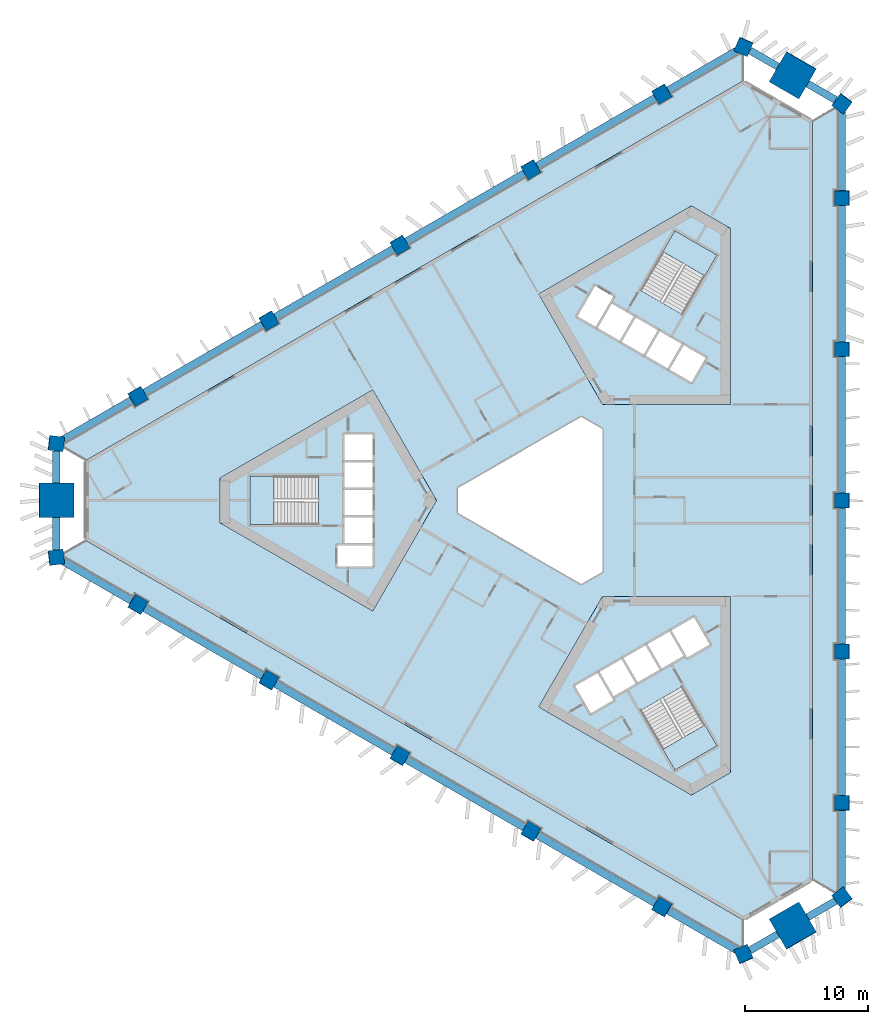
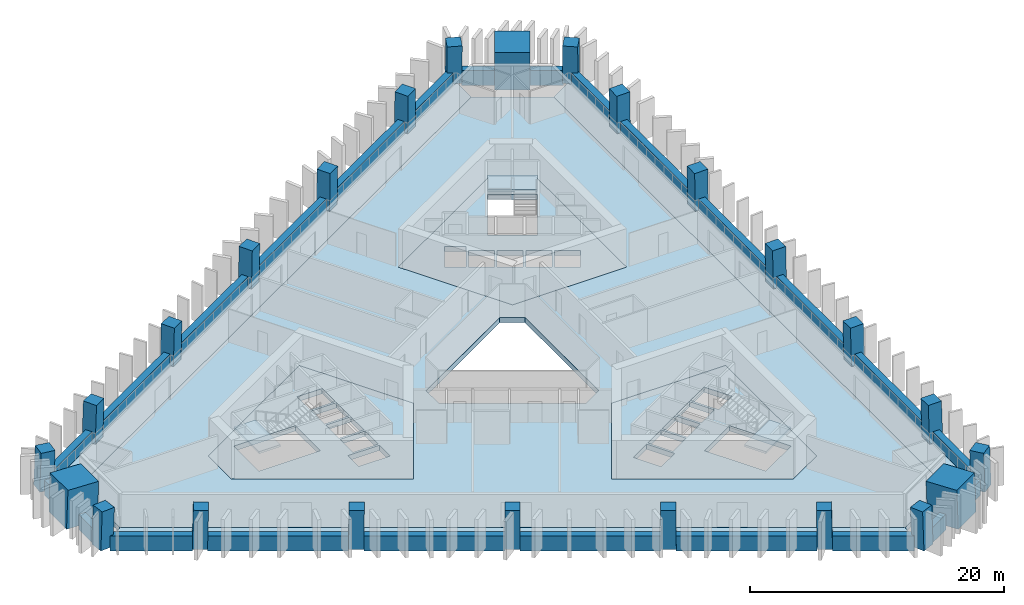
# One storey, part 1 of 10: 24 beams, 24 columns, 10 slabs, 3 elements without a shape of their own.
"""IFC4 building model written with IfcOpenShell, lengths in metres."""

from ifc_helpers import new_model, si_unit, direction, frame, origin, origin_2d, place, context, subcontext, project, spatial, polyline, rectangle, outline, extrude, material, layer, layer_set, material_profile, profile_set, type_object, element, aggregate, save


model = new_model("IFC4")

# Units and contexts
model_context = context("Model", 3, precision=1e-05, world=origin(), true_north=direction((0.0, 1.0)))
body_context = subcontext(model_context, "Body", "Model", "MODEL_VIEW")
ifc_project = project(units=[si_unit("LENGTHUNIT", "METRE"), si_unit("AREAUNIT", "SQUARE_METRE"), si_unit("VOLUMEUNIT", "CUBIC_METRE"), si_unit("PLANEANGLEUNIT", "RADIAN"), si_unit("MASSUNIT", "GRAM", prefix="KILO")], contexts=[model_context])

# Site, building, storey
site_placement = place(None, origin())
site = spatial("IfcSite", under=ifc_project, at=site_placement, CompositionType="ELEMENT")
building_placement = place(site_placement, origin())
building = spatial("IfcBuilding", under=site, at=building_placement, Name="Jabali Bay Hotel Tower and Convention Centre", CompositionType="ELEMENT")
storey_placement = place(building_placement, frame((0.0, 0.0, 33.699951171875)))
storey = spatial("IfcBuildingStorey", under=building, at=storey_placement, Name="L06", CompositionType="ELEMENT", Elevation=33.699951171875)

# Columns
ifc_material_1 = material(Name="Concrete C60", Category="concrete")
ifc_material_profile_1 = material_profile(ifc_material_1, rectangle(XDim=1.199951171875, YDim=1.199951171875, at=origin_2d()), Name="Frame column 1200")
ifc_profile_set_1 = profile_set([ifc_material_profile_1], Name="Concrete C60")
column_type_1 = type_object("IfcColumnType", Name="Frame column 1200", PredefinedType="COLUMN", material=ifc_profile_set_1)
column_1_placement = place(storey_placement, frame((84.317626953125, 113.063720703125, 0.0), z_axis=(-0.00837646992, -0.028097450282, 0.999570091609), x_axis=(0.866168540849, 0.499298149106, 0.021293593943)))
element("IfcColumn", 1, at=column_1_placement, inside=storey, type_object=column_type_1, Name="FC1 F1.1 L06", PredefinedType="COLUMN", context=body_context, shape_type="SweptSolid", body=[
    extrude(rectangle(XDim=1.199951171875, YDim=1.199951171875, at=origin_2d()), origin(), (0.0, 0.0, 1.0), 3.70166015625),
])
column_2_placement = place(storey_placement, frame((73.6650390625, 106.91357421875, 0.0), z_axis=(0.000857578916, -0.022824792675, 0.999739112668), x_axis=(0.866054303765, 0.499836094294, 0.010668728649)))
element("IfcColumn", 2, at=column_2_placement, inside=storey, type_object=column_type_1, Name="FC1 F1.2 L06", PredefinedType="COLUMN", context=body_context, shape_type="SweptSolid", body=[
    extrude(rectangle(XDim=1.199951171875, YDim=1.199951171875, at=origin_2d()), origin(), (0.0, 0.0, 1.0), 3.700927734375),
])
column_3_placement = place(storey_placement, frame((63.012451171875, 100.76318359375, 0.0), z_axis=(0.010093620709, -0.017482414954, 0.999796221231), x_axis=(0.86601685016, 0.500014815019, 2.20911e-07)))
element("IfcColumn", 3, at=column_3_placement, inside=storey, type_object=column_type_1, Name="FC1 F1.3 L06", PredefinedType="COLUMN", context=body_context, shape_type="SweptSolid", body=[
    extrude(rectangle(XDim=1.199951171875, YDim=1.199951171875, at=origin_2d()), origin(), (0.0, 0.0, 1.0), 3.70068359375),
])
column_4_placement = place(storey_placement, frame((52.359619140625, 94.613037109375, 0.0), z_axis=(0.019328501455, -0.012204002625, 0.999738701537), x_axis=(-0.498096589224, 0.866885952098, 0.020212220507)))
element("IfcColumn", 4, at=column_4_placement, inside=storey, type_object=column_type_1, Name="FC1 F1.4 L06", PredefinedType="COLUMN", context=body_context, shape_type="SweptSolid", body=[
    extrude(rectangle(XDim=1.199951171875, YDim=1.199951171875, at=origin_2d()), origin(), (0.0, 0.0, 1.0), 3.700927734375),
])
for number, where, z_axis, x_axis, name in (
    (5, (41.70703125, 88.462646484375, 0.0), (0.02855911485, -0.006793507689, 0.999569019734), (-0.500407643461, 0.865554709988, 0.020180049142), "FC1 F1.5 L06"),
    (6, (41.70703125, 71.537353515625, 0.0), (0.02855911485, 0.006793507689, 0.999569019734), (-0.865318766308, 0.500768301983, 0.021319953197), "FC1 F2.1 L06"),
):
    element("IfcColumn", number, at=place(storey_placement, frame(where, z_axis=z_axis, x_axis=x_axis)), inside=storey, type_object=column_type_1, Name=name, PredefinedType="COLUMN", context=body_context, shape_type="SweptSolid", body=[
        extrude(rectangle(XDim=1.199951171875, YDim=1.199951171875, at=origin_2d()), origin(), (0.0, 0.0, 1.0), 3.70166015625),
    ])
column_5_placement = place(storey_placement, frame((52.359619140625, 65.386962890625, 0.0), z_axis=(0.019328501455, 0.012204002625, 0.999738701537), x_axis=(-0.866906106124, 0.498357109285, 0.010676834304)))
element("IfcColumn", 7, at=column_5_placement, inside=storey, type_object=column_type_1, Name="FC1 F2.2 L06", PredefinedType="COLUMN", context=body_context, shape_type="SweptSolid", body=[
    extrude(rectangle(XDim=1.199951171875, YDim=1.199951171875, at=origin_2d()), origin(), (0.0, 0.0, 1.0), 3.700927734375),
])
column_6_placement = place(storey_placement, frame((63.012451171875, 59.23681640625, 0.0), z_axis=(0.010093620709, 0.017482414954, 0.999796221231), x_axis=(-0.499912926478, -0.865840372083, 0.020187025823)))
element("IfcColumn", 8, at=column_6_placement, inside=storey, type_object=column_type_1, Name="FC1 F2.3 L06", PredefinedType="COLUMN", context=body_context, shape_type="SweptSolid", body=[
    extrude(rectangle(XDim=1.199951171875, YDim=1.199951171875, at=origin_2d()), origin(), (0.0, 0.0, 1.0), 3.70068359375),
])
column_7_placement = place(storey_placement, frame((73.6650390625, 53.08642578125, 0.0), z_axis=(0.000857578916, 0.022824792675, 0.999739112668), x_axis=(-0.499949204908, -0.865819211891, 0.020196158824)))
element("IfcColumn", 9, at=column_7_placement, inside=storey, type_object=column_type_1, Name="FC1 F2.4 L06", PredefinedType="COLUMN", context=body_context, shape_type="SweptSolid", body=[
    extrude(rectangle(XDim=1.199951171875, YDim=1.199951171875, at=origin_2d()), origin(), (0.0, 0.0, 1.0), 3.700927734375),
])
for number, where, z_axis, x_axis, name in (
    (10, (84.317626953125, 46.936279296875, 0.0), (-0.00837646992, 0.028097450282, 0.999570091609), (-0.49968179234, -0.865974532874, 0.020154771585), "FC1 F2.5 L06"),
    (11, (98.975341796875, 55.398681640625, 0.0), (-0.020182631348, 0.021369844956, 0.999567902205), (-0.001315292007, -0.999771248084, 0.021347634776), "FC1 F0.1 L06"),
):
    element("IfcColumn", number, at=place(storey_placement, frame(where, z_axis=z_axis, x_axis=x_axis)), inside=storey, type_object=column_type_1, Name=name, PredefinedType="COLUMN", context=body_context, shape_type="SweptSolid", body=[
        extrude(rectangle(XDim=1.199951171875, YDim=1.199951171875, at=origin_2d()), origin(), (0.0, 0.0, 1.0), 3.70166015625),
    ])
column_8_placement = place(storey_placement, frame((98.975341796875, 67.699462890625, 0.0), z_axis=(-0.020186102726, 0.010620792611, 0.999739826165), x_axis=(0.001543238363, -0.999942052594, 0.01065410105)))
element("IfcColumn", 12, at=column_8_placement, inside=storey, type_object=column_type_1, Name="FC1 F0.2 L06", PredefinedType="COLUMN", context=body_context, shape_type="SweptSolid", body=[
    extrude(rectangle(XDim=1.199951171875, YDim=1.199951171875, at=origin_2d()), origin(), (0.0, 0.0, 1.0), 3.700927734375),
])
column_9_placement = place(storey_placement, frame((98.975341796875, 80.0, 0.0), z_axis=(-0.020187241331, 0.0, 0.99979621688), x_axis=(0.0, -1.0, 0.0)))
element("IfcColumn", 13, at=column_9_placement, inside=storey, type_object=column_type_1, Name="FC1 F0.3 L06", PredefinedType="COLUMN", context=body_context, shape_type="SweptSolid", body=[
    extrude(rectangle(XDim=1.199951171875, YDim=1.199951171875, at=origin_2d()), origin(), (0.0, 0.0, 1.0), 3.70068359375),
])
column_10_placement = place(storey_placement, frame((98.975341796875, 92.300537109375, 0.0), z_axis=(-0.020186102726, -0.010620792611, 0.999739826165), x_axis=(0.999795048834, -0.001757901631, 0.020168542579)))
element("IfcColumn", 14, at=column_10_placement, inside=storey, type_object=column_type_1, Name="FC1 F0.4 L06", PredefinedType="COLUMN", context=body_context, shape_type="SweptSolid", body=[
    extrude(rectangle(XDim=1.199951171875, YDim=1.199951171875, at=origin_2d()), origin(), (0.0, 0.0, 1.0), 3.700927734375),
])
column_11_placement = place(storey_placement, frame((98.975341796875, 104.601318359375, 0.0), z_axis=(-0.020182631348, -0.021369844956, 0.999567902205), x_axis=(0.999795444778, 0.000883872229, 0.020206122118)))
element("IfcColumn", 15, at=column_11_placement, inside=storey, type_object=column_type_1, Name="FC1 F0.5 L06", PredefinedType="COLUMN", context=body_context, shape_type="SweptSolid", body=[
    extrude(rectangle(XDim=1.199951171875, YDim=1.199951171875, at=origin_2d()), origin(), (0.0, 0.0, 1.0), 3.70166015625),
])
for number, where, z_axis, x_axis, name in (
    (16, (98.975341796875, 47.722900390625, 0.0), (-0.020178741915, 0.029015184452, 0.999375273581), (-0.80287354241, -0.596148363542, 0.00109706209), "FC1 V0 L06"),
    (17, (98.975341796875, 112.277099609375, 0.0), (-0.020178741915, -0.029015184452, 0.999375273581), (0.595807765369, 0.802349828764, 0.035325047896), "FC1 V1 L06"),
    (18, (90.965087890625, 116.90185546875, 0.0), (-0.014969213121, -0.031982680017, 0.999376320931), (0.918420871082, -0.395603212514, 0.001096270516), "FC1 V2 L06"),
    (19, (35.0595703125, 84.624755859375, 0.0), (0.035213880193, -0.00303340541, 0.999375195356), (-0.992543585991, 0.116658539664, 0.035327256202), "FC1 V3 L06"),
    (20, (35.0595703125, 75.375244140625, 0.0), (0.035213880193, 0.00303340541, 0.999375195356), (-0.116692812757, 0.993167449917, 0.001097212756), "FC1 V4 L06"),
    (21, (90.965087890625, 43.09814453125, 0.0), (-0.014969213121, 0.031982680017, 0.999376320931), (0.395321421401, -0.917864481515, 0.03529542964), "FC1 V5 L06"),
):
    element("IfcColumn", number, at=place(storey_placement, frame(where, z_axis=z_axis, x_axis=x_axis)), inside=storey, type_object=column_type_1, Name=name, PredefinedType="COLUMN", context=body_context, shape_type="SweptSolid", body=[
        extrude(rectangle(XDim=1.199951171875, YDim=1.199951171875, at=origin_2d()), origin(), (0.0, 0.0, 1.0), 3.7021484375),
    ])
ifc_material_2 = material(Name="Concrete C70", Category="concrete")
ifc_material_profile_2 = material_profile(ifc_material_2, rectangle(XDim=2.800048828125, YDim=2.800048828125, at=origin_2d()), Name="Mega column 2800")
ifc_profile_set_2 = profile_set([ifc_material_profile_2], Name="Concrete C70")
column_type_2 = type_object("IfcColumnType", Name="Mega column 2800", PredefinedType="COLUMN", material=ifc_profile_set_2)
for number, where, z_axis, x_axis, name in (
    (22, (94.97021484375, 114.589599609375, 0.0), (-0.017607001884, -0.030531992032, 0.999378702468), (0.866279052578, -0.499560409824, 2.461e-09), "MC1 M1 L06"),
    (23, (35.0595703125, 80.0, 0.0), (0.035214042205, 0.0, 0.999379793288), (0.0, 1.0, 0.0), "MC1 M0 L06"),
    (24, (94.97021484375, 45.410400390625, 0.0), (-0.017607001884, 0.030531992032, 0.999378702468), (0.4992500341, -0.865740835585, 0.035244986208), "MC1 M2 L06"),
):
    element("IfcColumn", number, at=place(storey_placement, frame(where, z_axis=z_axis, x_axis=x_axis)), inside=storey, type_object=column_type_2, Name=name, PredefinedType="COLUMN", context=body_context, shape_type="SweptSolid", body=[
        extrude(rectangle(XDim=2.800048828125, YDim=2.800048828125, at=origin_2d()), origin(), (0.0, 0.0, 1.0), 3.7021484375),
    ])

# Beams
ifc_material_profile_3 = material_profile(ifc_material_1, rectangle(XDim=0.60009765625, YDim=1.449951171875, at=origin_2d()), Name="Spandrel 600x1450")
ifc_profile_set_3 = profile_set([ifc_material_profile_3], Name="Concrete C60")
beam_type = type_object("IfcBeamType", Name="Spandrel 600x1450", PredefinedType="SPANDREL", material=ifc_profile_set_3)
beam_1_placement = place(storey_placement, frame((93.751220703125, 115.278076171875, 0.375), z_axis=(-0.866018215049, 0.500012451049, 0.0), x_axis=(-0.500012451049, -0.866018215049, 0.0)))
element("IfcBeam", 25, at=beam_1_placement, inside=storey, type_object=beam_type, Name="Spandrel M1-V2 L06", PredefinedType="SPANDREL", context=body_context, shape_type="SweptSolid", body=[
    extrude(rectangle(XDim=0.60009765625, YDim=1.449951171875, at=origin_2d()), origin(), (0.0, 0.0, 1.0), 2.62353515625),
])
beam_2_placement = place(storey_placement, frame((90.43994140625, 116.58984375, 0.375), z_axis=(-0.866027312607, -0.499996693808, 0.0), x_axis=(0.499996693808, -0.866027312607, 0.0)))
element("IfcBeam", 26, at=beam_2_placement, inside=storey, type_object=beam_type, Name="Spandrel V2-F1.1 L06", PredefinedType="SPANDREL", context=body_context, shape_type="SweptSolid", body=[
    extrude(rectangle(XDim=0.60009765625, YDim=1.449951171875, at=origin_2d()), origin(), (0.0, 0.0, 1.0), 6.47314453125),
])
for number, where, z_axis, x_axis, name in (
    (27, (83.794921875, 112.753173828125, 0.375), (-0.86603720393, -0.499979560991, 0.0), (0.499979560991, -0.86603720393, 0.0), "Spandrel F1.1-F1.2 L06"),
    (28, (73.145751953125, 106.60498046875, 0.375), (-0.866027677294, -0.499996062144, 0.0), (0.499996062144, -0.866027677294, 0.0), "Spandrel F1.2-F1.3 L06"),
    (29, (62.49658203125, 100.45654296875, 0.375), (-0.86603720393, -0.499979560991, 0.0), (0.499979560991, -0.86603720393, 0.0), "Spandrel F1.3-F1.4 L06"),
    (30, (51.847412109375, 94.308349609375, 0.375), (-0.866027677294, -0.499996062144, 0.0), (0.499996062144, -0.866027677294, 0.0), "Spandrel F1.4-F1.5 L06"),
):
    element("IfcBeam", number, at=place(storey_placement, frame(where, z_axis=z_axis, x_axis=x_axis)), inside=storey, type_object=beam_type, Name=name, PredefinedType="SPANDREL", context=body_context, shape_type="SweptSolid", body=[
        extrude(rectangle(XDim=0.60009765625, YDim=1.449951171875, at=origin_2d()), origin(), (0.0, 0.0, 1.0), 11.0966796875),
    ])
beam_3_placement = place(storey_placement, frame((41.1982421875, 88.16015625, 0.375), z_axis=(-0.866027312607, -0.499996693808, 0.0), x_axis=(0.499996693808, -0.866027312607, 0.0)))
element("IfcBeam", 31, at=beam_3_placement, inside=storey, type_object=beam_type, Name="Spandrel F1.5-V3 L06", PredefinedType="SPANDREL", context=body_context, shape_type="SweptSolid", body=[
    extrude(rectangle(XDim=0.60009765625, YDim=1.449951171875, at=origin_2d()), origin(), (0.0, 0.0, 1.0), 6.47314453125),
])
for number, where, z_axis, x_axis, name in (
    (32, (35.07275390625, 84.0234375, 0.375), (0.0, -1.0, 0.0), (1.0, 0.0, 0.0), "Spandrel V3-M0 L06"),
    (33, (35.07275390625, 78.60009765625, 0.375), (0.0, -1.0, 0.0), (1.0, 0.0, 0.0), "Spandrel M0-V4 L06"),
):
    element("IfcBeam", number, at=place(storey_placement, frame(where, z_axis=z_axis, x_axis=x_axis)), inside=storey, type_object=beam_type, Name=name, PredefinedType="SPANDREL", context=body_context, shape_type="SweptSolid", body=[
        extrude(rectangle(XDim=0.60009765625, YDim=1.449951171875, at=origin_2d()), origin(), (0.0, 0.0, 1.0), 2.62353515625),
    ])
beam_4_placement = place(storey_placement, frame((35.59228515625, 75.076416015625, 0.375), z_axis=(0.866027312607, -0.499996693808, 0.0), x_axis=(0.499996693808, 0.866027312607, 0.0)))
element("IfcBeam", 34, at=beam_4_placement, inside=storey, type_object=beam_type, Name="Spandrel V4-F2.1 L06", PredefinedType="SPANDREL", context=body_context, shape_type="SweptSolid", body=[
    extrude(rectangle(XDim=0.60009765625, YDim=1.449951171875, at=origin_2d()), origin(), (0.0, 0.0, 1.0), 6.47314453125),
])
for number, where, z_axis, x_axis, name in (
    (35, (42.2373046875, 71.239990234375, 0.375), (0.866027677294, -0.499996062144, 0.0), (0.499996062144, 0.866027677294, 0.0), "Spandrel F2.1-F2.2 L06"),
    (36, (52.886474609375, 65.091552734375, 0.375), (0.86603720393, -0.499979560991, 0.0), (0.499979560991, 0.86603720393, 0.0), "Spandrel F2.2-F2.3 L06"),
    (37, (63.53564453125, 58.943359375, 0.375), (0.866027677294, -0.499996062144, 0.0), (0.499996062144, 0.866027677294, 0.0), "Spandrel F2.3-F2.4 L06"),
    (38, (74.184814453125, 52.794921875, 0.375), (0.86603720393, -0.499979560991, 0.0), (0.499979560991, 0.86603720393, 0.0), "Spandrel F2.4-F2.5 L06"),
):
    element("IfcBeam", number, at=place(storey_placement, frame(where, z_axis=z_axis, x_axis=x_axis)), inside=storey, type_object=beam_type, Name=name, PredefinedType="SPANDREL", context=body_context, shape_type="SweptSolid", body=[
        extrude(rectangle(XDim=0.60009765625, YDim=1.449951171875, at=origin_2d()), origin(), (0.0, 0.0, 1.0), 11.0966796875),
    ])
beam_5_placement = place(storey_placement, frame((84.833984375, 46.646728515625, 0.375), z_axis=(0.866027312607, -0.499996693808, 0.0), x_axis=(0.499996693808, 0.866027312607, 0.0)))
element("IfcBeam", 39, at=beam_5_placement, inside=storey, type_object=beam_type, Name="Spandrel F2.5-V5 L06", PredefinedType="SPANDREL", context=body_context, shape_type="SweptSolid", body=[
    extrude(rectangle(XDim=0.60009765625, YDim=1.449951171875, at=origin_2d()), origin(), (0.0, 0.0, 1.0), 6.47314453125),
])
for number, where, z_axis, x_axis, name in (
    (40, (91.479248046875, 43.41015625, 0.375), (0.866018215049, 0.500012451049, 0.0), (-0.500012451049, 0.866018215049, 0.0), "Spandrel V5-M2 L06"),
    (41, (96.176025390625, 46.1220703125, 0.375), (0.866018215049, 0.500012451049, 0.0), (-0.500012451049, 0.866018215049, 0.0), "Spandrel M2-V0 L06"),
):
    element("IfcBeam", number, at=place(storey_placement, frame(where, z_axis=z_axis, x_axis=x_axis)), inside=storey, type_object=beam_type, Name=name, PredefinedType="SPANDREL", context=body_context, shape_type="SweptSolid", body=[
        extrude(rectangle(XDim=0.60009765625, YDim=1.449951171875, at=origin_2d()), origin(), (0.0, 0.0, 1.0), 2.62353515625),
    ])
beam_6_placement = place(storey_placement, frame((98.9677734375, 48.333740234375, 0.375), z_axis=(0.0, 1.0, 0.0), x_axis=(-1.0, 0.0, 0.0)))
element("IfcBeam", 42, at=beam_6_placement, inside=storey, type_object=beam_type, Name="Spandrel V0-F0.1 L06", PredefinedType="SPANDREL", context=body_context, shape_type="SweptSolid", body=[
    extrude(rectangle(XDim=0.60009765625, YDim=1.449951171875, at=origin_2d()), origin(), (0.0, 0.0, 1.0), 6.47314453125),
])
beam_7_placement = place(storey_placement, frame((98.9677734375, 56.0068359375, 0.375), z_axis=(0.0, 1.0, 0.0), x_axis=(-1.0, 0.0, 0.0)))
element("IfcBeam", 43, at=beam_7_placement, inside=storey, type_object=beam_type, Name="Spandrel F0.1-F0.2 L06", PredefinedType="SPANDREL", context=body_context, shape_type="SweptSolid", body=[
    extrude(rectangle(XDim=0.60009765625, YDim=1.449951171875, at=origin_2d()), origin(), (0.0, 0.0, 1.0), 11.0966796875),
])
for number, where, z_axis, x_axis, name in (
    (44, (98.9677734375, 68.303466796875, 0.375), (0.0, 1.0, 0.0), (-1.0, 0.0, 0.0), "Spandrel F0.2-F0.3 L06"),
    (45, (98.9677734375, 80.60009765625, 0.375), (0.0, 1.0, 0.0), (-1.0, 0.0, 0.0), "Spandrel F0.3-F0.4 L06"),
):
    element("IfcBeam", number, at=place(storey_placement, frame(where, z_axis=z_axis, x_axis=x_axis)), inside=storey, type_object=beam_type, Name=name, PredefinedType="SPANDREL", context=body_context, shape_type="SweptSolid", body=[
        extrude(rectangle(XDim=0.60009765625, YDim=1.449951171875, at=origin_2d()), origin(), (0.0, 0.0, 1.0), 11.096435546875),
    ])
beam_8_placement = place(storey_placement, frame((98.9677734375, 92.896484375, 0.375), z_axis=(0.0, 1.0, 0.0), x_axis=(-1.0, 0.0, 0.0)))
element("IfcBeam", 46, at=beam_8_placement, inside=storey, type_object=beam_type, Name="Spandrel F0.4-F0.5 L06", PredefinedType="SPANDREL", context=body_context, shape_type="SweptSolid", body=[
    extrude(rectangle(XDim=0.60009765625, YDim=1.449951171875, at=origin_2d()), origin(), (0.0, 0.0, 1.0), 11.0966796875),
])
beam_9_placement = place(storey_placement, frame((98.9677734375, 105.193115234375, 0.375), z_axis=(0.0, 1.0, 0.0), x_axis=(-1.0, 0.0, 0.0)))
element("IfcBeam", 47, at=beam_9_placement, inside=storey, type_object=beam_type, Name="Spandrel F0.5-V1 L06", PredefinedType="SPANDREL", context=body_context, shape_type="SweptSolid", body=[
    extrude(rectangle(XDim=0.60009765625, YDim=1.449951171875, at=origin_2d()), origin(), (0.0, 0.0, 1.0), 6.47314453125),
])
beam_10_placement = place(storey_placement, frame((98.447998046875, 112.566162109375, 0.375), z_axis=(-0.866018215049, 0.500012451049, 0.0), x_axis=(-0.500012451049, -0.866018215049, 0.0)))
element("IfcBeam", 48, at=beam_10_placement, inside=storey, type_object=beam_type, Name="Spandrel V1-M1 L06", PredefinedType="SPANDREL", context=body_context, shape_type="SweptSolid", body=[
    extrude(rectangle(XDim=0.60009765625, YDim=1.449951171875, at=origin_2d()), origin(), (0.0, 0.0, 1.0), 2.62353515625),
])

# Slabs
ifc_material_3 = material(Name="Concrete C40", Category="concrete")
ifc_layer_1 = layer(ifc_material_3, 0.5)
ifc_layer_set_1 = layer_set([ifc_layer_1], Name="Concrete C40")
slab_type_1 = type_object("IfcSlabType", Name="Core floor slab 500", PredefinedType="FLOOR", material=ifc_layer_set_1)
slab_1_placement = place(storey_placement, frame((0.0, 0.0, -0.5)))
element("IfcSlab", 49, at=slab_1_placement, inside=storey, type_object=slab_type_1, Name="Core floor slab 1 L06", PredefinedType="FLOOR", context=body_context, shape_type="SweptSolid", body=[
    extrude(outline(polyline([(66.0, 80.0), (60.81005859375, 88.9892578125), (48.39697265625, 81.82275390625), (48.39697265625, 78.17724609375), (60.81005859375, 71.0107421875), (66.0, 80.0)]), holes=[polyline([(60.800048828125, 74.64990234375), (60.800048828125, 76.35009765625), (57.949951171875, 76.35009765625), (57.949951171875, 74.64990234375), (60.800048828125, 74.64990234375)]), polyline([(58.52001953125, 76.550048828125), (60.800048828125, 76.550048828125), (60.800048828125, 78.60009765625), (58.52001953125, 78.60009765625), (58.52001953125, 76.550048828125)]), polyline([(58.52001953125, 78.800048828125), (60.800048828125, 78.800048828125), (60.800048828125, 80.85009765625), (58.52001953125, 80.85009765625), (58.52001953125, 78.800048828125)]), polyline([(56.409912109375, 81.97509765625), (50.820068359375, 81.97509765625), (50.820068359375, 78.02490234375), (56.409912109375, 78.02490234375), (56.409912109375, 81.97509765625)]), polyline([(58.52001953125, 81.050048828125), (60.800048828125, 81.050048828125), (60.800048828125, 83.10009765625), (58.52001953125, 83.10009765625), (58.52001953125, 81.050048828125)]), polyline([(58.52001953125, 83.300048828125), (60.800048828125, 83.300048828125), (60.800048828125, 85.35009765625), (58.52001953125, 85.35009765625), (58.52001953125, 83.300048828125)])]), origin(), (0.0, 0.0, 1.0), 0.5),
])
slab_2_placement = place(storey_placement, frame((0.0, 0.0, -0.5)))
element("IfcSlab", 50, at=slab_2_placement, inside=storey, type_object=slab_type_1, Name="Core floor slab 2 L06", PredefinedType="FLOOR", context=body_context, shape_type="SweptSolid", body=[
    extrude(outline(polyline([(79.5, 87.794189453125), (89.8798828125, 87.794189453125), (89.8798828125, 102.127685546875), (86.72314453125, 103.9501953125), (74.31005859375, 96.78369140625), (79.5, 87.794189453125)]), holes=[polyline([(84.957763671875, 90.6474609375), (86.733154296875, 89.62255859375), (87.873291015625, 91.59716796875), (86.097900390625, 92.6220703125), (84.957763671875, 90.6474609375)]), polyline([(84.1494140625, 93.7470703125), (83.00927734375, 91.7724609375), (84.78466796875, 90.74755859375), (85.924560546875, 92.72216796875), (84.1494140625, 93.7470703125)]), polyline([(82.20068359375, 94.8720703125), (81.060791015625, 92.8974609375), (82.836181640625, 91.87255859375), (83.97607421875, 93.84716796875), (82.20068359375, 94.8720703125)]), polyline([(79.1123046875, 94.0224609375), (80.887451171875, 92.99755859375), (82.027587890625, 94.97216796875), (80.252197265625, 95.9970703125), (79.1123046875, 94.0224609375)]), polyline([(78.891845703125, 97.440673828125), (77.466796875, 94.97265625), (78.93896484375, 94.12255859375), (80.364013671875, 96.5908203125), (78.891845703125, 97.440673828125)]), polyline([(82.584716796875, 97.0869140625), (86.00537109375, 95.11181640625), (88.80029296875, 99.952880859375), (85.379638671875, 101.927978515625), (82.584716796875, 97.0869140625)])]), origin(), (0.0, 0.0, 1.0), 0.5),
])
slab_3_placement = place(storey_placement, frame((0.0, 0.0, -0.5)))
element("IfcSlab", 51, at=slab_3_placement, inside=storey, type_object=slab_type_1, Name="Core floor slab 3 L06", PredefinedType="FLOOR", context=body_context, shape_type="SweptSolid", body=[
    extrude(outline(polyline([(79.5, 72.205810546875), (74.31005859375, 63.21630859375), (86.72314453125, 56.0498046875), (89.8798828125, 57.872314453125), (89.8798828125, 72.205810546875), (79.5, 72.205810546875)]), holes=[polyline([(82.584716796875, 62.9130859375), (85.379638671875, 58.072021484375), (88.80029296875, 60.047119140625), (86.00537109375, 64.88818359375), (82.584716796875, 62.9130859375)]), polyline([(80.365478515625, 63.756591796875), (79.090576171875, 65.96484375), (77.27197265625, 64.9150390625), (78.546875, 62.70654296875), (80.365478515625, 63.756591796875)]), polyline([(82.17919921875, 65.115478515625), (81.0390625, 67.08984375), (79.263671875, 66.06494140625), (80.40380859375, 64.09033203125), (82.17919921875, 65.115478515625)]), polyline([(82.98779296875, 68.21484375), (81.21240234375, 67.18994140625), (82.352294921875, 65.21533203125), (84.127685546875, 66.240478515625), (82.98779296875, 68.21484375)]), polyline([(86.076171875, 67.365478515625), (84.936279296875, 69.33984375), (83.160888671875, 68.31494140625), (84.30078125, 66.34033203125), (86.076171875, 67.365478515625)]), polyline([(88.203125, 68.281494140625), (86.927978515625, 70.489990234375), (85.109375, 69.43994140625), (86.384521484375, 67.231689453125), (88.203125, 68.281494140625)])]), origin(), (0.0, 0.0, 1.0), 0.5),
])
ifc_layer_2 = layer(ifc_material_3, 0.199951171875)
ifc_layer_set_2 = layer_set([ifc_layer_2], Name="Concrete C40")
slab_type_2 = type_object("IfcSlabType", Name="Loggia slab 200", PredefinedType="FLOOR", material=ifc_layer_set_2)
slab_4_placement = place(storey_placement, frame((0.0, 0.0, -0.199951171875)))
element("IfcSlab", 52, at=slab_4_placement, inside=storey, type_object=slab_type_2, Name="Loggia slab east face L06", PredefinedType="FLOOR", context=body_context, shape_type="SweptSolid", body=[
    extrude(outline(polyline([(96.5751953125, 110.8916015625), (98.4091796875, 111.9501953125), (98.67529296875, 111.752685546875), (98.67529296875, 105.201171875), (98.375244140625, 105.201171875), (98.375244140625, 104.001220703125), (98.67529296875, 104.001220703125), (98.67529296875, 92.900634765625), (98.375244140625, 92.900634765625), (98.375244140625, 91.70068359375), (98.67529296875, 91.70068359375), (98.67529296875, 80.60009765625), (98.375244140625, 80.60009765625), (98.375244140625, 79.39990234375), (98.67529296875, 79.39990234375), (98.67529296875, 68.29931640625), (98.375244140625, 68.29931640625), (98.375244140625, 67.099365234375), (98.67529296875, 67.099365234375), (98.67529296875, 55.998779296875), (98.375244140625, 55.998779296875), (98.375244140625, 54.798828125), (98.67529296875, 54.798828125), (98.67529296875, 48.247314453125), (98.4091796875, 48.0498046875), (96.5751953125, 49.1083984375), (96.5751953125, 110.8916015625)])), origin(), (0.0, 0.0, 1.0), 0.199951171875),
])
slab_5_placement = place(storey_placement, frame((0.0, 0.0, -0.199951171875)))
element("IfcSlab", 53, at=slab_5_placement, inside=storey, type_object=slab_type_2, Name="Loggia slab north-west face L06", PredefinedType="FLOOR", context=body_context, shape_type="SweptSolid", body=[
    extrude(outline(polyline([(37.45947265625, 83.239013671875), (35.625732421875, 84.2978515625), (35.663818359375, 84.627197265625), (41.33740234375, 87.90283203125), (41.487548828125, 87.64306640625), (42.526611328125, 88.242919921875), (42.376708984375, 88.5029296875), (51.989990234375, 94.05322265625), (52.14013671875, 93.793212890625), (53.179443359375, 94.393310546875), (53.029296875, 94.653076171875), (62.642822265625, 100.203369140625), (62.792724609375, 99.943603515625), (63.83203125, 100.543701171875), (63.681884765625, 100.803466796875), (73.29541015625, 106.353759765625), (73.4453125, 106.093994140625), (74.484619140625, 106.69384765625), (74.334716796875, 106.95361328125), (83.947998046875, 112.50390625), (84.097900390625, 112.244140625), (85.13720703125, 112.84423828125), (84.9873046875, 113.10400390625), (90.660888671875, 116.379638671875), (90.965087890625, 116.248046875), (90.965087890625, 114.130615234375), (37.45947265625, 83.239013671875)])), origin(), (0.0, 0.0, 1.0), 0.199951171875),
])
slab_6_placement = place(storey_placement, frame((0.0, 0.0, -0.199951171875)))
element("IfcSlab", 54, at=slab_6_placement, inside=storey, type_object=slab_type_2, Name="Loggia slab south-west face L06", PredefinedType="FLOOR", context=body_context, shape_type="SweptSolid", body=[
    extrude(outline(polyline([(90.965087890625, 45.869384765625), (90.965087890625, 43.751953125), (90.660888671875, 43.620361328125), (84.9873046875, 46.89599609375), (85.13720703125, 47.15576171875), (84.097900390625, 47.755859375), (83.947998046875, 47.49609375), (74.334716796875, 53.04638671875), (74.484619140625, 53.30615234375), (73.4453125, 53.906005859375), (73.29541015625, 53.646240234375), (63.681884765625, 59.196533203125), (63.83203125, 59.456298828125), (62.792724609375, 60.056396484375), (62.642822265625, 59.796630859375), (53.029296875, 65.346923828125), (53.179443359375, 65.606689453125), (52.14013671875, 66.206787109375), (51.989990234375, 65.94677734375), (42.376708984375, 71.4970703125), (42.526611328125, 71.757080078125), (41.487548828125, 72.35693359375), (41.33740234375, 72.09716796875), (35.663818359375, 75.372802734375), (35.625732421875, 75.7021484375), (37.45947265625, 76.760986328125), (90.965087890625, 45.869384765625)])), origin(), (0.0, 0.0, 1.0), 0.199951171875),
])
ifc_layer_3 = layer(ifc_material_3, 0.5)
ifc_layer_set_3 = layer_set([ifc_layer_3], Name="Concrete C40")
slab_type_3 = type_object("IfcSlabType", Name="Post-tensioned flat slab 500", PredefinedType="FLOOR", material=ifc_layer_set_3)
slab_7_placement = place(storey_placement, frame((0.0, 0.0, -0.5)))
element("IfcSlab", 55, at=slab_7_placement, inside=storey, type_object=slab_type_3, Name="Floor slab L06", PredefinedType="FLOOR", context=body_context, shape_type="SweptSolid", body=[
    extrude(outline(polyline([(90.965087890625, 114.130615234375), (96.5751953125, 110.8916015625), (96.5751953125, 49.1083984375), (90.965087890625, 45.869384765625), (37.45947265625, 76.760986328125), (37.45947265625, 83.239013671875), (90.965087890625, 114.130615234375)]), holes=[polyline([(67.73193359375, 79.0), (77.76806640625, 73.205810546875), (79.5, 74.205810546875), (79.5, 85.794189453125), (77.76806640625, 86.794189453125), (67.73193359375, 81.0), (67.73193359375, 79.0)]), polyline([(48.39697265625, 78.17724609375), (60.81005859375, 71.0107421875), (66.0, 80.0), (60.81005859375, 88.9892578125), (48.39697265625, 81.82275390625), (48.39697265625, 78.17724609375)]), polyline([(89.8798828125, 102.127685546875), (86.72314453125, 103.9501953125), (74.31005859375, 96.78369140625), (79.5, 87.794189453125), (89.8798828125, 87.794189453125), (89.8798828125, 102.127685546875)]), polyline([(74.31005859375, 63.21630859375), (86.72314453125, 56.0498046875), (89.8798828125, 57.872314453125), (89.8798828125, 72.205810546875), (79.5, 72.205810546875), (74.31005859375, 63.21630859375)])]), origin(), (0.0, 0.0, 1.0), 0.5),
])

# Stair, slab
stair_type = type_object("IfcStairType", Name="Exit stair 1900", PredefinedType="HALF_TURN_STAIR", material=ifc_material_3)
stair_1_placement = place(storey_placement, origin())
stair_1 = element("IfcStair", 56, at=stair_1_placement, inside=storey, type_object=stair_type, Name="L06 Exit Stair 1", PredefinedType="HALF_TURN_STAIR")
ifc_layer_4 = layer(ifc_material_3, 0.199951171875)
ifc_layer_set_4 = layer_set([ifc_layer_4], Name="Concrete C40")
slab_type_4 = type_object("IfcSlabType", Name="Stair landing 200", PredefinedType="LANDING", material=ifc_layer_set_4)
slab_8_placement = place(storey_placement, frame((0.0, 0.0, 1.650146484375)))
slab_8 = element("IfcSlab", 57, at=slab_8_placement, type_object=slab_type_4, Name="ST1 landing 1", PredefinedType="LANDING", context=body_context, shape_type="SweptSolid", body=[
    extrude(outline(polyline([(52.782958984375, 81.97509765625), (50.820068359375, 81.97509765625), (50.820068359375, 78.02490234375), (52.782958984375, 78.02490234375), (52.782958984375, 81.97509765625)])), origin(), (0.0, 0.0, 1.0), 0.199951171875),
])
aggregate(stair_1, [slab_8])

stair_2_placement = place(storey_placement, origin())
stair_2 = element("IfcStair", 58, at=stair_2_placement, inside=storey, type_object=stair_type, Name="L06 Exit Stair 2", PredefinedType="HALF_TURN_STAIR")
slab_9_placement = place(storey_placement, frame((0.0, 0.0, 1.650146484375)))
slab_9 = element("IfcSlab", 59, at=slab_9_placement, type_object=slab_type_4, Name="ST2 landing 1", PredefinedType="LANDING", context=body_context, shape_type="SweptSolid", body=[
    extrude(outline(polyline([(87.81884765625, 98.2529296875), (88.80029296875, 99.952880859375), (85.379638671875, 101.927978515625), (84.398193359375, 100.22802734375), (87.81884765625, 98.2529296875)])), origin(), (0.0, 0.0, 1.0), 0.199951171875),
])
aggregate(stair_2, [slab_9])

stair_3_placement = place(storey_placement, origin())
stair_3 = element("IfcStair", 60, at=stair_3_placement, inside=storey, type_object=stair_type, Name="L06 Exit Stair 3", PredefinedType="HALF_TURN_STAIR")
slab_10_placement = place(storey_placement, frame((0.0, 0.0, 1.650146484375)))
slab_10 = element("IfcSlab", 61, at=slab_10_placement, type_object=slab_type_4, Name="ST3 landing 1", PredefinedType="LANDING", context=body_context, shape_type="SweptSolid", body=[
    extrude(outline(polyline([(84.398193359375, 59.77197265625), (85.379638671875, 58.072021484375), (88.80029296875, 60.047119140625), (87.81884765625, 61.7470703125), (84.398193359375, 59.77197265625)])), origin(), (0.0, 0.0, 1.0), 0.199951171875),
])
aggregate(stair_3, [slab_10])

save(model, "model.ifc")
